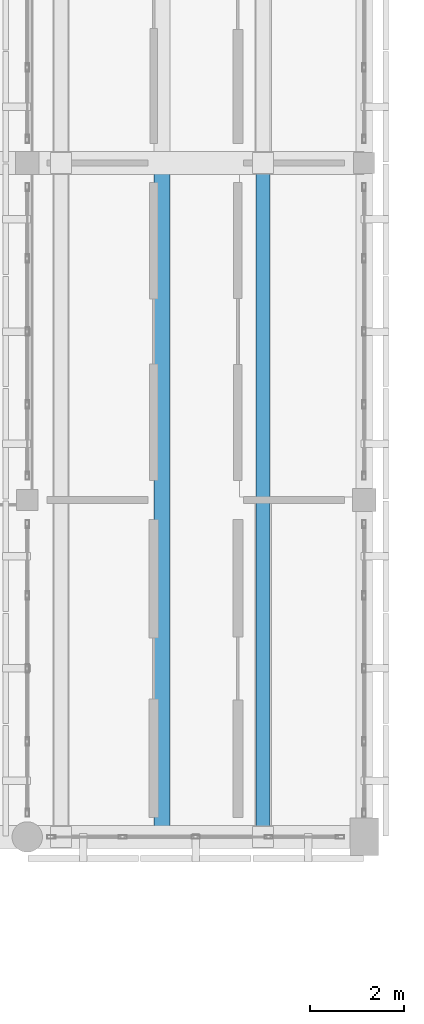
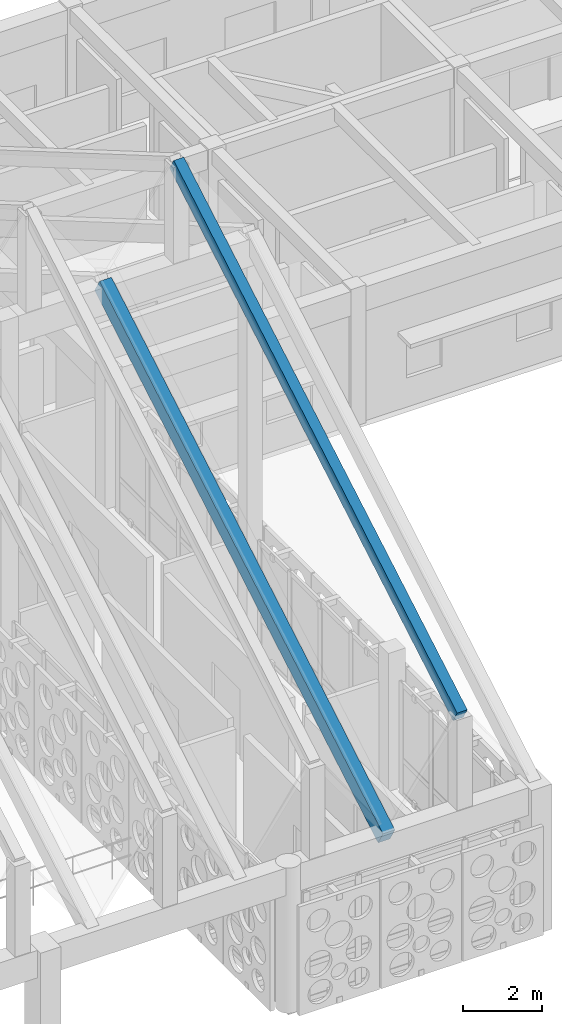
# One storey, part 40 of 171: 2 beams.
"""IFC4 building model written with IfcOpenShell, lengths in metres."""

import ifcopenshell
import ifcopenshell.guid

model = None  # the IFC model being written
_history = None  # IfcOwnerHistory: only IFC2X3 demands one
_inside = {}  # id of a spatial element -> (the spatial element, [elements in it])
_under = {}  # id of a project, library or spatial element -> (it, [spatial elements below it])
_declared = {}  # id of a project -> (the project, [libraries it declares])
_typed = {}  # id of a type object -> (the type object, [elements of that type])
_made_of = {}  # id of a material, layer set ... -> (it, [elements and type objects made of it])


def new_model(schema):
    """Start an empty IFC model of exactly this schema.

    Asked for "IFC4X3", IfcOpenShell would pick the latest addendum, in which some entities
    have other attributes; the version numbers below select the first issue.
    IFC2X3 requires an IfcOwnerHistory on every rooted entity: one is made here for all.
    """
    global model, _history
    if schema == "IFC4X3":
        model = ifcopenshell.file(schema_version=(4, 3, 0, 0))
    else:
        model = ifcopenshell.file(schema=schema)
    _inside.clear()
    _under.clear()
    _declared.clear()
    _typed.clear()
    _made_of.clear()
    _history = None
    if model.schema == "IFC2X3":
        org = make("IfcOrganization", Name="unknown")
        user = make(
            "IfcPersonAndOrganization",
            ThePerson=make("IfcPerson", FamilyName="unknown"),
            TheOrganization=org,
        )
        app = make(
            "IfcApplication",
            ApplicationDeveloper=org,
            Version="unknown",
            ApplicationFullName="unknown",
            ApplicationIdentifier="unknown",
        )
        _history = make(
            "IfcOwnerHistory",
            OwningUser=user,
            OwningApplication=app,
            ChangeAction="ADDED",
            CreationDate=0,
        )
    return model


def make(cls, **values):
    """One entity of the class cls with the attributes given. An attribute that is None is left unset."""
    return model.create_entity(
        cls, **{name: value for name, value in values.items() if value is not None}
    )


def rooted(cls, **values):
    """An entity with a GlobalId (a new one), such as an element, a storey or a relation."""
    return make(cls, GlobalId=ifcopenshell.guid.new(), OwnerHistory=_history, **values)


def si_unit(unit_type, name, prefix=None):
    """IfcSIUnit, for example si_unit("LENGTHUNIT", "METRE", prefix="MILLI")."""
    return make("IfcSIUnit", UnitType=unit_type, Prefix=prefix, Name=name)


def assignment(units):
    """IfcUnitAssignment: the units of a project."""
    return None if units is None else make("IfcUnitAssignment", Units=units)


def point(xyz):
    """IfcCartesianPoint."""
    return None if xyz is None else make("IfcCartesianPoint", Coordinates=xyz)


def direction(xyz):
    """IfcDirection."""
    return None if xyz is None else make("IfcDirection", DirectionRatios=xyz)


def frame(location, z_axis=None, x_axis=None):
    """IfcAxis2Placement3D, a coordinate frame: its origin and axes. An axis left out is left unset."""
    return make(
        "IfcAxis2Placement3D",
        Location=point(location),
        Axis=direction(z_axis),
        RefDirection=direction(x_axis),
    )


def frame_2d(location, x_axis=None):
    """IfcAxis2Placement2D, a coordinate frame in the plane: its origin and x axis."""
    return make(
        "IfcAxis2Placement2D", Location=point(location), RefDirection=direction(x_axis)
    )


def origin():
    """The frame at (0, 0, 0) with its axes left unset."""
    return frame((0.0, 0.0, 0.0))


def origin_2d():
    """The frame at (0, 0) in the plane with its x axis left unset."""
    return frame_2d((0.0, 0.0))


def place(relative_to, where):
    """IfcLocalPlacement: puts the frame where relative to a parent placement (None: the world)."""
    return make(
        "IfcLocalPlacement", PlacementRelTo=relative_to, RelativePlacement=where
    )


def context(
    kind, dimensions, precision=None, world=None, true_north=None, identifier=None
):
    """IfcGeometricRepresentationContext, for example the 3D "Model" context."""
    return make(
        "IfcGeometricRepresentationContext",
        ContextIdentifier=identifier,
        ContextType=kind,
        CoordinateSpaceDimension=dimensions,
        Precision=precision,
        WorldCoordinateSystem=world,
        TrueNorth=true_north,
    )


def subcontext(parent, identifier, kind, view, scale=None):
    """IfcGeometricRepresentationSubContext, for example "Body" below "Model"."""
    return make(
        "IfcGeometricRepresentationSubContext",
        ContextIdentifier=identifier,
        ContextType=kind,
        ParentContext=parent,
        TargetScale=scale,
        TargetView=view,
    )


def project(units=None, contexts=None):
    """IfcProject with its units and contexts."""
    return rooted(
        "IfcProject",
        Name="project",
        RepresentationContexts=contexts,
        UnitsInContext=assignment(units),
    )


def spatial(cls, under=None, at=None, **own):
    """A site, building, storey or space (cls), placed at a placement, below another one or the project."""
    s = rooted(cls, ObjectPlacement=at, **own)
    if under is not None:
        _under.setdefault(under.id(), (under, []))[1].append(s)
    return s


def profile(cls, at=None, kind="AREA", **sizes):
    """A parametric profile (cls). Its sizes go by their IFC names, for example OverallWidth=200.0."""
    return make(cls, ProfileType=kind, Position=at, **sizes)


def rectangle(**sizes):
    """IfcRectangleProfileDef."""
    return profile("IfcRectangleProfileDef", **sizes)


def extrude(swept, where, along, depth):
    """IfcExtrudedAreaSolid: the profile swept, set in the frame where, extruded along a direction by depth."""
    return make(
        "IfcExtrudedAreaSolid",
        SweptArea=swept,
        Position=where,
        ExtrudedDirection=direction(along),
        Depth=depth,
    )


def shape(context_of_items, identifier, shape_type, items):
    """IfcShapeRepresentation: the items that make up one representation, for example the "Body"."""
    return make(
        "IfcShapeRepresentation",
        ContextOfItems=context_of_items,
        RepresentationIdentifier=identifier,
        RepresentationType=shape_type,
        Items=items,
    )


def material(Name=None, Category=None):
    """IfcMaterial."""
    return make("IfcMaterial", Name=Name, Category=Category)


def material_profile(
    of_material, cross_section, Name=None, Category=None, Priority=None
):
    """IfcMaterialProfile: a cross section and its material."""
    return make(
        "IfcMaterialProfile",
        Name=Name,
        Material=of_material,
        Profile=cross_section,
        Priority=Priority,
        Category=Category,
    )


def profile_set(profiles, Name=None, composite=None):
    """IfcMaterialProfileSet."""
    return make(
        "IfcMaterialProfileSet",
        Name=Name,
        MaterialProfiles=profiles,
        CompositeProfile=composite,
    )


def made_of(thing, what):
    """Note that an element or type object is made of a material, layer set ...; save() writes the relation."""
    if what is not None:
        _made_of.setdefault(what.id(), (what, []))[1].append(thing)
    return thing


def type_object(cls, material=None, **own):
    """A type object (cls), such as IfcWallType, which elements share."""
    return made_of(rooted(cls, **own), material)


def element(
    cls,
    number,
    at=None,
    inside=None,
    cuts=None,
    type_object=None,
    material=None,
    context=None,
    identifier="Body",
    shape_type=None,
    held_by="IfcProductDefinitionShape",
    body=None,
    shapes=None,
    **own,
):
    """One element of the class cls, such as IfcWall. Its Tag is "e" and its number.

    at: its placement. inside: the storey or other place that contains it. cuts: it is an
    opening in that element (IfcRelVoidsElement). A single representation is given by context,
    identifier, shape_type and body (its items); several are given by shapes. held_by: the class
    of the entity that holds the representations. save() writes the other relations.
    """
    e = rooted(cls, Tag="e%d" % number, ObjectPlacement=at, **own)
    if body is not None:
        shapes = [shape(context, identifier, shape_type, body)]
    if shapes is not None:
        e.Representation = make(held_by, Representations=shapes)
    if inside is not None:
        _inside.setdefault(inside.id(), (inside, []))[1].append(e)
    if cuts is not None:
        rooted(
            "IfcRelVoidsElement", RelatingBuildingElement=cuts, RelatedOpeningElement=e
        )
    if type_object is not None:
        _typed.setdefault(type_object.id(), (type_object, []))[1].append(e)
    return made_of(e, material)


def aggregate(whole, parts):
    """IfcRelAggregates: a whole, such as a stair, and the parts it consists of."""
    return rooted("IfcRelAggregates", RelatingObject=whole, RelatedObjects=parts)


def save(model, path):
    """Write the relations noted so far, then the file.

    IfcRelAggregates (storeys below a building ...), IfcRelContainedInSpatialStructure (elements
    in a storey), IfcRelDefinesByType, IfcRelAssociatesMaterial and IfcRelDeclares: one each for
    every whole, place, type object, material and project.
    """
    for whole, parts in _under.values():
        aggregate(whole, parts)
    for where, things in _inside.values():
        rooted(
            "IfcRelContainedInSpatialStructure",
            RelatedElements=things,
            RelatingStructure=where,
        )
    for kind, things in _typed.values():
        rooted("IfcRelDefinesByType", RelatedObjects=things, RelatingType=kind)
    for what, things in _made_of.values():
        rooted("IfcRelAssociatesMaterial", RelatedObjects=things, RelatingMaterial=what)
    for by, libraries in _declared.values():
        rooted("IfcRelDeclares", RelatingContext=by, RelatedDefinitions=libraries)
    model.write(path)


model = new_model("IFC4")

# Units and contexts
model_context = context("Model", 3, precision=1e-05, world=origin(), true_north=direction((0.0, 1.0)))
body_context = subcontext(model_context, "Body", "Model", "MODEL_VIEW")
ifc_project = project(units=[si_unit("LENGTHUNIT", "METRE"), si_unit("AREAUNIT", "SQUARE_METRE"), si_unit("VOLUMEUNIT", "CUBIC_METRE"), si_unit("PLANEANGLEUNIT", "RADIAN"), si_unit("MASSUNIT", "GRAM", prefix="KILO")], contexts=[model_context])

# Site, building, storey
site_placement = place(None, origin())
site = spatial("IfcSite", under=ifc_project, at=site_placement, CompositionType="ELEMENT")
building_placement = place(site_placement, origin())
building = spatial("IfcBuilding", under=site, at=building_placement, Name="Aldebral Square Health Centre", CompositionType="ELEMENT")
storey_placement = place(building_placement, frame((0.0, 0.0, 4.5)))
storey = spatial("IfcBuildingStorey", under=building, at=storey_placement, Name="L01", CompositionType="ELEMENT", Elevation=4.5)

# Beams
ifc_material = material(Name="Concrete C40/50", Category="concrete")
ifc_material_profile_1 = material_profile(ifc_material, rectangle(XDim=0.300048828125, YDim=0.419921875, at=origin_2d()), Name="RC 300x420")
ifc_profile_set_1 = profile_set([ifc_material_profile_1], Name="Concrete C40/50")
beam_type_1 = type_object("IfcBeamType", Name="BM-FP2", PredefinedType="BEAM", material=ifc_profile_set_1)
beam_1_placement = place(storey_placement, frame((105.840087890625, 72.0, 7.25), z_axis=(0.0, 0.863779963214, 0.503869204407), x_axis=(-1.0, 0.0, 0.0)))
element("IfcBeam", 1, at=beam_1_placement, inside=storey, type_object=beam_type_1, Name="Folded-plate south ridge rib 10", PredefinedType="BEAM", context=body_context, shape_type="SweptSolid", body=[
    extrude(rectangle(XDim=0.300048828125, YDim=0.419921875, at=origin_2d()), origin(), (0.0, 0.0, 1.0), 16.6708984375),
])
ifc_material_profile_2 = material_profile(ifc_material, rectangle(XDim=0.35009765625, YDim=0.5, at=origin_2d()), Name="RC 350x500")
ifc_profile_set_2 = profile_set([ifc_material_profile_2], Name="Concrete C40/50")
beam_type_2 = type_object("IfcBeamType", Name="BM-SP1", PredefinedType="SPANDREL", material=ifc_profile_set_2)
beam_2_placement = place(storey_placement, frame((103.679931640625, 72.0, 4.25), z_axis=(0.0, 0.863779963214, 0.503869204407), x_axis=(-1.0, 0.0, 0.0)))
element("IfcBeam", 2, at=beam_2_placement, inside=storey, type_object=beam_type_2, Name="Folded-plate south valley beam 10", PredefinedType="SPANDREL", context=body_context, shape_type="SweptSolid", body=[
    extrude(rectangle(XDim=0.35009765625, YDim=0.5, at=origin_2d()), origin(), (0.0, 0.0, 1.0), 16.6708984375),
])

save(model, "model.ifc")
